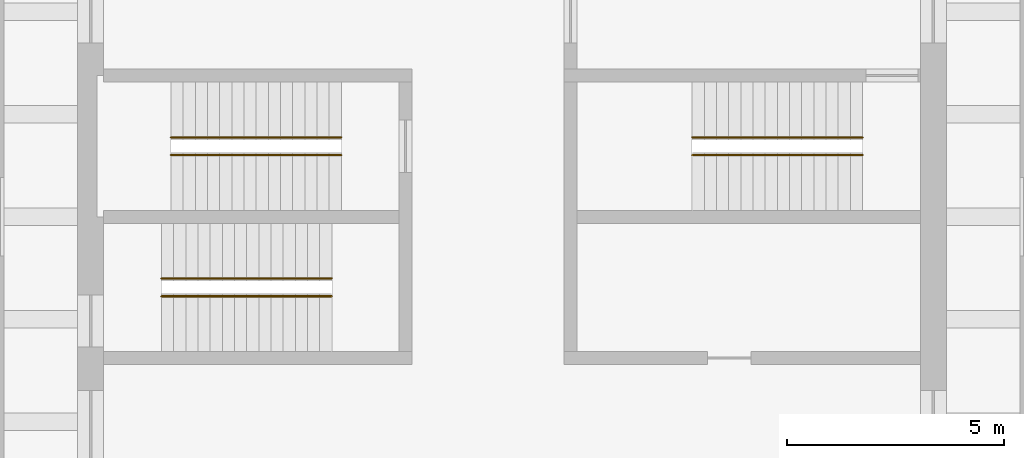
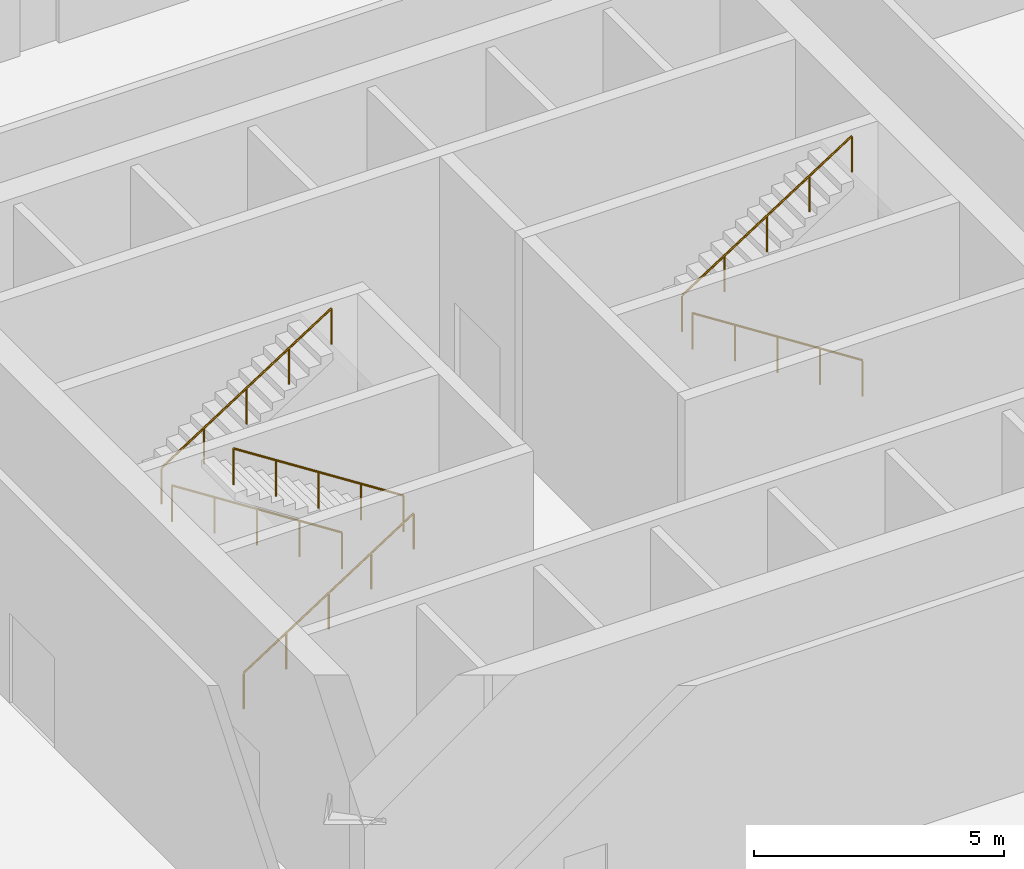
# One storey, part 8 of 9: 6 railings.
"""IFC4 building model written with IfcOpenShell, lengths in metres."""

from ifc_helpers import new_model, si_unit, direction, frame, origin, origin_2d, place, context, subcontext, project, spatial, circle, extrude, material, type_object, element, save


model = new_model("IFC4")

# Units and contexts
model_context = context("Model", 3, precision=1e-05, world=origin(), true_north=direction((0.0, 1.0)))
body_context = subcontext(model_context, "Body", "Model", "MODEL_VIEW")
ifc_project = project(units=[si_unit("LENGTHUNIT", "METRE"), si_unit("AREAUNIT", "SQUARE_METRE"), si_unit("VOLUMEUNIT", "CUBIC_METRE"), si_unit("PLANEANGLEUNIT", "RADIAN"), si_unit("MASSUNIT", "GRAM", prefix="KILO")], contexts=[model_context])

# Site, building, storey
site_placement = place(None, origin())
site = spatial("IfcSite", under=ifc_project, at=site_placement, CompositionType="ELEMENT")
building_placement = place(site_placement, origin())
building = spatial("IfcBuilding", under=site, at=building_placement, Name="Turquesa Mirador Hotel Tower", CompositionType="ELEMENT")
storey_placement = place(building_placement, frame((0.0, 0.0, 88.0)))
storey = spatial("IfcBuildingStorey", under=building, at=storey_placement, Name="L23", CompositionType="ELEMENT", Elevation=88.0)

# Railings
ifc_material = material(Name="Painted steel handrail", Category="steel")
railing_type = type_object("IfcRailingType", Name="HANDRAIL 900 STEEL", PredefinedType="HANDRAIL", material=ifc_material)
railing_1_placement = place(storey_placement, frame((51.070068359375, 46.419921875, 0.179931640625)))
element("IfcRailing", 1, at=railing_1_placement, inside=storey, type_object=railing_type, Name="Handrail ST1", PredefinedType="HANDRAIL", context=body_context, shape_type="SweptSolid", body=[
    extrude(circle(Radius=0.02392578125, at=origin_2d()), frame((0.0, 0.0, 0.8759765625), z_axis=(-0.841186985886, 0.0, 0.540744352514), x_axis=(0.0, -1.0, 0.0)), (0.0, 0.0, 1.0), 4.660400390625),
    extrude(circle(Radius=0.02099609375, at=origin_2d()), origin(), (0.0, 0.0, 1.0), 0.851806640625),
    extrude(circle(Radius=0.02099609375, at=origin_2d()), frame((-0.97998046875, 0.0, 0.6298828125)), (0.0, 0.0, 1.0), 0.851806640625),
    extrude(circle(Radius=0.02099609375, at=origin_2d()), frame((-1.9599609375, 0.0, 1.260009765625)), (0.0, 0.0, 1.0), 0.851806640625),
    extrude(circle(Radius=0.02099609375, at=origin_2d()), frame((-2.940185546875, 0.0, 1.89013671875)), (0.0, 0.0, 1.0), 0.851806640625),
    extrude(circle(Radius=0.02099609375, at=origin_2d()), frame((-3.920166015625, 0.0, 2.52001953125)), (0.0, 0.0, 1.0), 0.851806640625),
])
for number, where, name in (
    (2, (47.14990234375, 46.830078125, 2.8798828125), "Handrail ST1"),
    (3, (46.929931640625, 43.169921875, 0.179931640625), "Handrail ST2"),
):
    element("IfcRailing", number, at=place(storey_placement, frame(where)), inside=storey, type_object=railing_type, Name=name, PredefinedType="HANDRAIL", context=body_context, shape_type="SweptSolid", body=[
        extrude(circle(Radius=0.02392578125, at=origin_2d()), frame((0.0, 0.0, 0.8759765625), z_axis=(0.841186985886, 0.0, 0.540744352514), x_axis=(0.0, 1.0, 0.0)), (0.0, 0.0, 1.0), 4.660400390625),
        extrude(circle(Radius=0.02099609375, at=origin_2d()), origin(), (0.0, 0.0, 1.0), 0.851806640625),
        extrude(circle(Radius=0.02099609375, at=origin_2d()), frame((0.97998046875, 0.0, 0.6298828125)), (0.0, 0.0, 1.0), 0.851806640625),
        extrude(circle(Radius=0.02099609375, at=origin_2d()), frame((1.9599609375, 0.0, 1.260009765625)), (0.0, 0.0, 1.0), 0.851806640625),
        extrude(circle(Radius=0.02099609375, at=origin_2d()), frame((2.940185546875, 0.0, 1.89013671875)), (0.0, 0.0, 1.0), 0.851806640625),
        extrude(circle(Radius=0.02099609375, at=origin_2d()), frame((3.920166015625, 0.0, 2.52001953125)), (0.0, 0.0, 1.0), 0.851806640625),
    ])
for number, where, name in (
    (4, (50.85009765625, 43.580078125, 2.8798828125), "Handrail ST2"),
    (5, (63.070068359375, 46.419921875, 0.179931640625), "Handrail ST3"),
):
    element("IfcRailing", number, at=place(storey_placement, frame(where)), inside=storey, type_object=railing_type, Name=name, PredefinedType="HANDRAIL", context=body_context, shape_type="SweptSolid", body=[
        extrude(circle(Radius=0.02392578125, at=origin_2d()), frame((0.0, 0.0, 0.8759765625), z_axis=(-0.841186985886, 0.0, 0.540744352514), x_axis=(0.0, -1.0, 0.0)), (0.0, 0.0, 1.0), 4.660400390625),
        extrude(circle(Radius=0.02099609375, at=origin_2d()), origin(), (0.0, 0.0, 1.0), 0.851806640625),
        extrude(circle(Radius=0.02099609375, at=origin_2d()), frame((-0.97998046875, 0.0, 0.6298828125)), (0.0, 0.0, 1.0), 0.851806640625),
        extrude(circle(Radius=0.02099609375, at=origin_2d()), frame((-1.9599609375, 0.0, 1.260009765625)), (0.0, 0.0, 1.0), 0.851806640625),
        extrude(circle(Radius=0.02099609375, at=origin_2d()), frame((-2.940185546875, 0.0, 1.89013671875)), (0.0, 0.0, 1.0), 0.851806640625),
        extrude(circle(Radius=0.02099609375, at=origin_2d()), frame((-3.920166015625, 0.0, 2.52001953125)), (0.0, 0.0, 1.0), 0.851806640625),
    ])
railing_2_placement = place(storey_placement, frame((59.14990234375, 46.830078125, 2.8798828125)))
element("IfcRailing", 6, at=railing_2_placement, inside=storey, type_object=railing_type, Name="Handrail ST3", PredefinedType="HANDRAIL", context=body_context, shape_type="SweptSolid", body=[
    extrude(circle(Radius=0.02392578125, at=origin_2d()), frame((0.0, 0.0, 0.8759765625), z_axis=(0.841186985886, 0.0, 0.540744352514), x_axis=(0.0, 1.0, 0.0)), (0.0, 0.0, 1.0), 4.660400390625),
    extrude(circle(Radius=0.02099609375, at=origin_2d()), origin(), (0.0, 0.0, 1.0), 0.851806640625),
    extrude(circle(Radius=0.02099609375, at=origin_2d()), frame((0.97998046875, 0.0, 0.6298828125)), (0.0, 0.0, 1.0), 0.851806640625),
    extrude(circle(Radius=0.02099609375, at=origin_2d()), frame((1.9599609375, 0.0, 1.260009765625)), (0.0, 0.0, 1.0), 0.851806640625),
    extrude(circle(Radius=0.02099609375, at=origin_2d()), frame((2.940185546875, 0.0, 1.89013671875)), (0.0, 0.0, 1.0), 0.851806640625),
    extrude(circle(Radius=0.02099609375, at=origin_2d()), frame((3.920166015625, 0.0, 2.52001953125)), (0.0, 0.0, 1.0), 0.851806640625),
])

save(model, "model.ifc")
